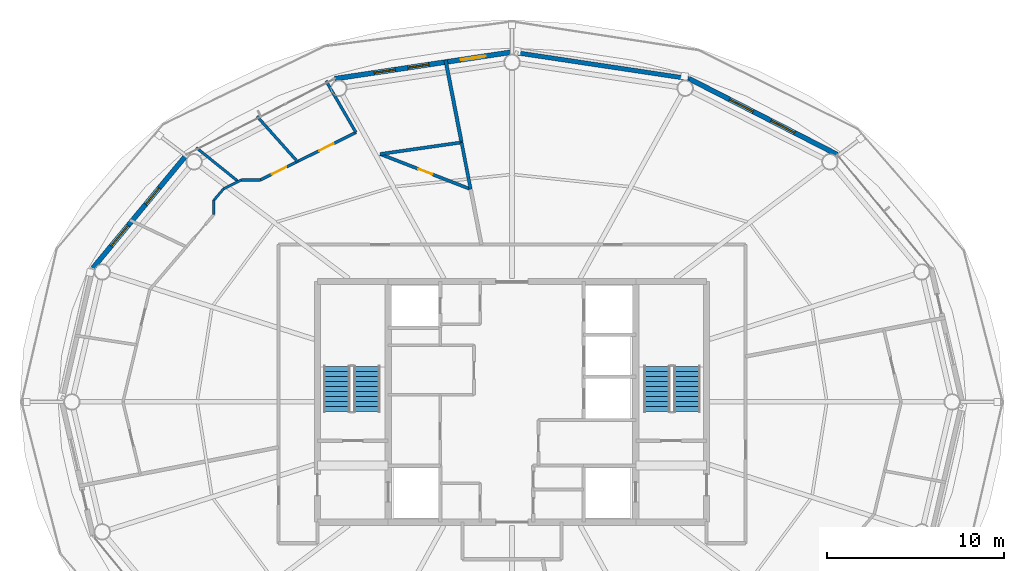
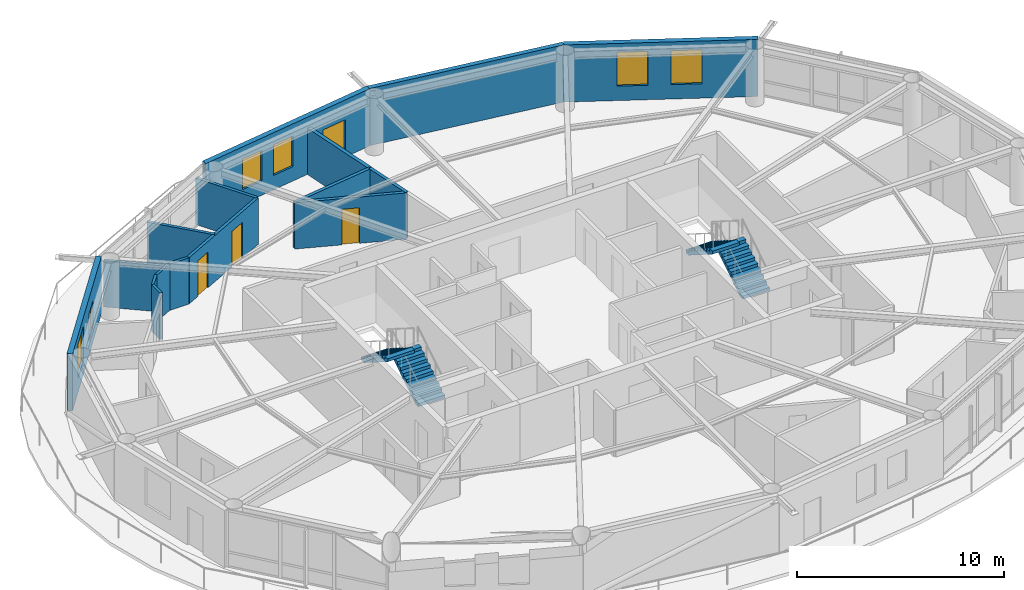
# One storey, part 18 of 21: 16 walls, 6 windows, 4 doors, 4 stair flights, 10 openings, 2 elements without a shape of their own.
"""IFC4 building model written with IfcOpenShell, lengths in metres."""

from ifc_helpers import new_model, si_unit, direction, frame, frame_2d, origin, place, context, subcontext, project, spatial, polyline, rectangle, outline, extrude, material, layer, layer_set, type_object, element, fill, aggregate, save


model = new_model("IFC4")

# Units and contexts
model_context = context("Model", 3, precision=1e-05, world=origin(), true_north=direction((0.0, 1.0)))
body_context = subcontext(model_context, "Body", "Model", "MODEL_VIEW")
ifc_project = project(units=[si_unit("LENGTHUNIT", "METRE"), si_unit("AREAUNIT", "SQUARE_METRE"), si_unit("VOLUMEUNIT", "CUBIC_METRE"), si_unit("PLANEANGLEUNIT", "RADIAN"), si_unit("MASSUNIT", "GRAM", prefix="KILO")], contexts=[model_context])

# Site, building, storey
site_placement = place(None, origin())
site = spatial("IfcSite", under=ifc_project, at=site_placement, CompositionType="ELEMENT")
building_placement = place(site_placement, origin())
building = spatial("IfcBuilding", under=site, at=building_placement, Name="Sarneth Arch Tower", CompositionType="ELEMENT")
storey_placement = place(building_placement, frame((0.0, 0.0, 309.0)))
storey = spatial("IfcBuildingStorey", under=building, at=storey_placement, Name="L80", CompositionType="ELEMENT", Elevation=309.0)

# Wall
ifc_material_1 = material(Name="Extruded terracotta rainscreen on Concrete C40/50 backing", Category="masonry")
ifc_layer_1 = layer(ifc_material_1, 0.25)
ifc_layer_set_1 = layer_set([ifc_layer_1], Name="Extruded terracotta rainscreen on Concrete C40/50 backing")
wall_type_1 = type_object("IfcWallType", Name="WALL-EXT-SPAND-250", PredefinedType="SOLIDWALL", material=ifc_layer_set_1)
wall_1_placement = place(storey_placement, frame((58.0126953125, 60.2744140625, 0.0), z_axis=(0.0, 0.0, 1.0), x_axis=(-0.988882522213, 0.148698881169, 0.0)))
element("IfcWall", 1, at=wall_1_placement, inside=storey, type_object=wall_type_1, Name="L80 Terracotta perimeter wall 04", PredefinedType="SOLIDWALL", context=body_context, shape_type="SweptSolid", body=[
    extrude(rectangle(XDim=10.125244140625, YDim=0.25, at=frame_2d((5.0625, 0.0))), origin(), (0.0, 0.0, 1.0), 3.3701171875),
])

# Wall, openings, windows
ifc_material_2 = material(Name="Extruded terracotta rainscreen on Concrete C40/50 backing", Category="masonry")
ifc_layer_2 = layer(ifc_material_2, 0.280029296875)
ifc_layer_set_2 = layer_set([ifc_layer_2], Name="Extruded terracotta rainscreen on Concrete C40/50 backing")
wall_type_2 = type_object("IfcWallType", Name="WALL-EXT-TERRA-280", PredefinedType="SOLIDWALL", material=ifc_layer_set_2)
wall_2_placement = place(storey_placement, frame((66.382568359375, 55.986572265625, 0.0), z_axis=(0.0, 0.0, 1.0), x_axis=(-0.890007394051, 0.455946091699, 0.0)))
wall_2 = element("IfcWall", 2, at=wall_2_placement, inside=storey, type_object=wall_type_2, Name="L80 Terracotta perimeter wall 03", PredefinedType="SOLIDWALL", context=body_context, shape_type="SweptSolid", body=[
    extrude(rectangle(XDim=9.404296875, YDim=0.280029296875, at=frame_2d((4.7021484375, 0.0))), origin(), (0.0, 0.0, 1.0), 3.3701171875),
])
opening_1_placement = place(wall_2_placement, frame((2.702880859375, 0.0, 0.85009765625)))
opening_1 = element("IfcOpeningElement", 3, at=opening_1_placement, cuts=wall_2, Name="Opening W-06", PredefinedType="OPENING", context=body_context, shape_type="SweptSolid", body=[
    extrude(rectangle(XDim=1.5, YDim=2.0, at=frame_2d((0.75, 1.0))), frame((0.0, 0.14990234375, 0.0), z_axis=(0.0, -1.0, 0.0), x_axis=(1.0, 0.0, 0.0)), (0.0, 0.0, 1.0), 0.300048828125),
])
opening_2_placement = place(wall_2_placement, frame((5.330078125, 0.0, 0.85009765625)))
opening_2 = element("IfcOpeningElement", 4, at=opening_2_placement, cuts=wall_2, Name="Opening W-06", PredefinedType="OPENING", context=body_context, shape_type="SweptSolid", body=[
    extrude(rectangle(XDim=1.5, YDim=2.0, at=frame_2d((0.75, 1.0))), frame((0.0, 0.14990234375, 0.0), z_axis=(0.0, -1.0, 0.0), x_axis=(1.0, 0.0, 0.0)), (0.0, 0.0, 1.0), 0.300048828125),
])
ifc_material_3 = material(Name="Thermally broken Aluminium 6063-T6 and low-e laminated IGU", Category="aluminium")
window_type_1 = type_object("IfcWindowType", Name="WIN-TWR-1500x2000", PartitioningType="SINGLE_PANEL", PredefinedType="WINDOW", material=ifc_material_3)
window_1_placement = place(opening_1_placement, origin())
window_1 = element("IfcWindow", 5, at=window_1_placement, inside=storey, type_object=window_type_1, Name="L80 Exterior window 03A", OverallHeight=2.0, OverallWidth=1.5, PartitioningType="SINGLE_PANEL", PredefinedType="WINDOW", context=body_context, shape_type="SweptSolid", body=[
    extrude(rectangle(XDim=1.5, YDim=2.0, at=frame_2d((0.75, 1.0))), frame((0.0, 0.030029296875, 0.0), z_axis=(0.0, -1.0, 0.0), x_axis=(1.0, 0.0, 0.0)), (0.0, 0.0, 1.0), 0.06005859375),
])
fill(opening_1, window_1)
window_2_placement = place(opening_2_placement, origin())
window_2 = element("IfcWindow", 6, at=window_2_placement, inside=storey, type_object=window_type_1, Name="L80 Exterior window 03B", OverallHeight=2.0, OverallWidth=1.5, PartitioningType="SINGLE_PANEL", PredefinedType="WINDOW", context=body_context, shape_type="SweptSolid", body=[
    extrude(rectangle(XDim=1.5, YDim=2.0, at=frame_2d((0.75, 1.0))), frame((0.0, 0.030029296875, 0.0), z_axis=(0.0, -1.0, 0.0), x_axis=(1.0, 0.0, 0.0)), (0.0, 0.0, 1.0), 0.06005859375),
])
fill(opening_2, window_2)

# Wall, openings, door, windows
wall_3_placement = place(storey_placement, frame((48.0, 61.780029296875, 0.0), z_axis=(0.0, 0.0, 1.0), x_axis=(-0.988882522213, -0.148698881169, 0.0)))
wall_3 = element("IfcWall", 7, at=wall_3_placement, inside=storey, type_object=wall_type_2, Name="L80 Terracotta perimeter wall 05", PredefinedType="SOLIDWALL", context=body_context, shape_type="SweptSolid", body=[
    extrude(rectangle(XDim=10.125244140625, YDim=0.280029296875, at=frame_2d((5.0625, 0.0))), origin(), (0.0, 0.0, 1.0), 3.3701171875),
])
opening_3_placement = place(wall_3_placement, frame((1.51611328125, 0.0, 0.0)))
opening_3 = element("IfcOpeningElement", 8, at=opening_3_placement, cuts=wall_3, Name="Opening BD-2", PredefinedType="OPENING", context=body_context, shape_type="SweptSolid", body=[
    extrude(rectangle(XDim=1.39990234375, YDim=2.199951171875, at=frame_2d((0.699951171875, 1.10009765625))), frame((0.0, 0.14990234375, 0.0), z_axis=(0.0, -1.0, 0.0), x_axis=(1.0, 0.0, 0.0)), (0.0, 0.0, 1.0), 0.300048828125),
])
opening_4_placement = place(wall_3_placement, frame((4.750244140625, 0.0, 0.85009765625)))
opening_4 = element("IfcOpeningElement", 9, at=opening_4_placement, cuts=wall_3, Name="Opening W-09", PredefinedType="OPENING", context=body_context, shape_type="SweptSolid", body=[
    extrude(rectangle(XDim=1.199951171875, YDim=1.800048828125, at=frame_2d((0.60009765625, 0.89990234375))), frame((0.0, 0.14990234375, 0.0), z_axis=(0.0, -1.0, 0.0), x_axis=(1.0, 0.0, 0.0)), (0.0, 0.0, 1.0), 0.300048828125),
])
opening_5_placement = place(wall_3_placement, frame((6.66796875, 0.0, 0.85009765625)))
opening_5 = element("IfcOpeningElement", 10, at=opening_5_placement, cuts=wall_3, Name="Opening W-09", PredefinedType="OPENING", context=body_context, shape_type="SweptSolid", body=[
    extrude(rectangle(XDim=1.199951171875, YDim=1.800048828125, at=frame_2d((0.60009765625, 0.89990234375))), frame((0.0, 0.14990234375, 0.0), z_axis=(0.0, -1.0, 0.0), x_axis=(1.0, 0.0, 0.0)), (0.0, 0.0, 1.0), 0.300048828125),
])
ifc_material_4 = material(Name="Thermally broken Aluminium 6063-T6 and laminated safety glass", Category="aluminium")
door_type_1 = type_object("IfcDoorType", Name="DR-BALC-GLZ-1400", OperationType="SINGLE_SWING_LEFT", PredefinedType="DOOR", material=ifc_material_4)
door_1_placement = place(opening_3_placement, origin())
door_1 = element("IfcDoor", 11, at=door_1_placement, inside=storey, type_object=door_type_1, Name="L80 Balcony glazed door 05", OperationType="SINGLE_SWING_LEFT", OverallHeight=2.199951171875, OverallWidth=1.39990234375, PredefinedType="DOOR", context=body_context, shape_type="SweptSolid", body=[
    extrude(rectangle(XDim=1.39990234375, YDim=2.199951171875, at=frame_2d((0.699951171875, 1.10009765625))), frame((0.0, 0.02490234375, 0.0), z_axis=(0.0, -1.0, 0.0), x_axis=(1.0, 0.0, 0.0)), (0.0, 0.0, 1.0), 0.050048828125),
])
fill(opening_3, door_1)
ifc_material_5 = material(Name="Thermally broken Aluminium 6063-T6 and low-e laminated IGU", Category="aluminium")
window_type_2 = type_object("IfcWindowType", Name="WIN-TWR-1200x1800", PartitioningType="SINGLE_PANEL", PredefinedType="WINDOW", material=ifc_material_5)
window_3_placement = place(opening_4_placement, origin())
window_3 = element("IfcWindow", 12, at=window_3_placement, inside=storey, type_object=window_type_2, Name="L80 Exterior window 05A", OverallHeight=1.800048828125, OverallWidth=1.199951171875, PartitioningType="SINGLE_PANEL", PredefinedType="WINDOW", context=body_context, shape_type="SweptSolid", body=[
    extrude(rectangle(XDim=1.199951171875, YDim=1.800048828125, at=frame_2d((0.60009765625, 0.89990234375))), frame((0.0, 0.030029296875, 0.0), z_axis=(0.0, -1.0, 0.0), x_axis=(1.0, 0.0, 0.0)), (0.0, 0.0, 1.0), 0.06005859375),
])
fill(opening_4, window_3)
window_4_placement = place(opening_5_placement, origin())
window_4 = element("IfcWindow", 13, at=window_4_placement, inside=storey, type_object=window_type_2, Name="L80 Exterior window 05B", OverallHeight=1.800048828125, OverallWidth=1.199951171875, PartitioningType="SINGLE_PANEL", PredefinedType="WINDOW", context=body_context, shape_type="SweptSolid", body=[
    extrude(rectangle(XDim=1.199951171875, YDim=1.800048828125, at=frame_2d((0.60009765625, 0.89990234375))), frame((0.0, 0.030029296875, 0.0), z_axis=(0.0, -1.0, 0.0), x_axis=(1.0, 0.0, 0.0)), (0.0, 0.0, 1.0), 0.06005859375),
])
fill(opening_5, window_4)

# Wall, openings, windows
wall_4_placement = place(storey_placement, frame((29.617431640625, 55.986572265625, 0.0), z_axis=(0.0, 0.0, 1.0), x_axis=(-0.63761509934, -0.770355103243, 0.0)))
wall_4 = element("IfcWall", 14, at=wall_4_placement, inside=storey, type_object=wall_type_2, Name="L80 Terracotta perimeter wall 07", PredefinedType="SOLIDWALL", context=body_context, shape_type="SweptSolid", body=[
    extrude(rectangle(XDim=8.329833984375, YDim=0.280029296875, at=frame_2d((4.1650390625, 0.0))), origin(), (0.0, 0.0, 1.0), 3.3701171875),
])
opening_6_placement = place(wall_4_placement, frame((2.45556640625, 0.0, 0.85009765625)))
opening_6 = element("IfcOpeningElement", 15, at=opening_6_placement, cuts=wall_4, Name="Opening W-10", PredefinedType="OPENING", context=body_context, shape_type="SweptSolid", body=[
    extrude(rectangle(XDim=1.199951171875, YDim=1.60009765625, at=frame_2d((0.60009765625, 0.800048828125))), frame((0.0, 0.14990234375, 0.0), z_axis=(0.0, -1.0, 0.0), x_axis=(1.0, 0.0, 0.0)), (0.0, 0.0, 1.0), 0.300048828125),
])
opening_7_placement = place(wall_4_placement, frame((5.210693359375, 0.0, 0.85009765625)))
opening_7 = element("IfcOpeningElement", 16, at=opening_7_placement, cuts=wall_4, Name="Opening W-06", PredefinedType="OPENING", context=body_context, shape_type="SweptSolid", body=[
    extrude(rectangle(XDim=1.5, YDim=2.0, at=frame_2d((0.75, 1.0))), frame((0.0, 0.14990234375, 0.0), z_axis=(0.0, -1.0, 0.0), x_axis=(1.0, 0.0, 0.0)), (0.0, 0.0, 1.0), 0.300048828125),
])
ifc_material_6 = material(Name="Thermally broken Aluminium 6063-T6 and low-e laminated IGU", Category="aluminium")
window_type_3 = type_object("IfcWindowType", Name="WIN-TWR-1200x1600", PartitioningType="SINGLE_PANEL", PredefinedType="WINDOW", material=ifc_material_6)
window_5_placement = place(opening_6_placement, origin())
window_5 = element("IfcWindow", 17, at=window_5_placement, inside=storey, type_object=window_type_3, Name="L80 Exterior window 07A", OverallHeight=1.60009765625, OverallWidth=1.199951171875, PartitioningType="SINGLE_PANEL", PredefinedType="WINDOW", context=body_context, shape_type="SweptSolid", body=[
    extrude(rectangle(XDim=1.199951171875, YDim=1.60009765625, at=frame_2d((0.60009765625, 0.800048828125))), frame((0.0, 0.030029296875, 0.0), z_axis=(0.0, -1.0, 0.0), x_axis=(1.0, 0.0, 0.0)), (0.0, 0.0, 1.0), 0.06005859375),
])
fill(opening_6, window_5)
window_6_placement = place(opening_7_placement, origin())
window_6 = element("IfcWindow", 18, at=window_6_placement, inside=storey, type_object=window_type_1, Name="L80 Exterior window 07B", OverallHeight=2.0, OverallWidth=1.5, PartitioningType="SINGLE_PANEL", PredefinedType="WINDOW", context=body_context, shape_type="SweptSolid", body=[
    extrude(rectangle(XDim=1.5, YDim=2.0, at=frame_2d((0.75, 1.0))), frame((0.0, 0.030029296875, 0.0), z_axis=(0.0, -1.0, 0.0), x_axis=(1.0, 0.0, 0.0)), (0.0, 0.0, 1.0), 0.06005859375),
])
fill(opening_7, window_6)

# Walls
ifc_material_7 = material(Name="Apartment internal stud partition", Category="gypsum")
ifc_layer_3 = layer(ifc_material_7, 0.139892578125)
ifc_layer_set_3 = layer_set([ifc_layer_3], Name="Apartment internal stud partition")
wall_type_3 = type_object("IfcWallType", Name="WALL-PART-140", PredefinedType="PARTITIONING", material=ifc_layer_set_3)
wall_5_placement = place(storey_placement, frame((32.710693359375, 54.550048828125, 0.0), z_axis=(0.0, 0.0, 1.0), x_axis=(-0.895409226325, -0.445244109912, 0.0)))
element("IfcWall", 19, at=wall_5_placement, inside=storey, type_object=wall_type_3, Name="L80 Interior partition W-L80-TP-027", PredefinedType="PARTITIONING", context=body_context, shape_type="SweptSolid", body=[
    extrude(rectangle(XDim=1.14111328125, YDim=0.139892578125, at=frame_2d((0.570556640625, 0.0))), origin(), (0.0, 0.0, 1.0), 2.72998046875),
])
wall_6_placement = place(storey_placement, frame((31.68896484375, 54.0419921875, 0.0), z_axis=(0.0, 0.0, 1.0), x_axis=(-0.649191857323, -0.760624698774, 0.0)))
element("IfcWall", 20, at=wall_6_placement, inside=storey, type_object=wall_type_3, Name="L80 Interior partition W-L80-TP-028", PredefinedType="PARTITIONING", context=body_context, shape_type="SweptSolid", body=[
    extrude(rectangle(XDim=0.830322265625, YDim=0.139892578125, at=frame_2d((0.4150390625, 0.0))), origin(), (0.0, 0.0, 1.0), 2.72998046875),
])
wall_7_placement = place(storey_placement, frame((31.14990234375, 53.410400390625, 0.0), z_axis=(0.0, 0.0, 1.0), x_axis=(0.0, -1.0, 0.0)))
element("IfcWall", 21, at=wall_7_placement, inside=storey, type_object=wall_type_3, Name="L80 Interior partition W-L80-TP-029", PredefinedType="PARTITIONING", context=body_context, shape_type="SweptSolid", body=[
    extrude(rectangle(XDim=0.8115234375, YDim=0.139892578125, at=frame_2d((0.40576171875, 0.0))), origin(), (0.0, 0.0, 1.0), 2.72998046875),
])
ifc_material_8 = material(Name="Acoustic gypsum stud partition", Category="gypsum")
ifc_layer_4 = layer(ifc_material_8, 0.14990234375)
ifc_layer_set_4 = layer_set([ifc_layer_4], Name="Acoustic gypsum stud partition")
wall_type_4 = type_object("IfcWallType", Name="WALL-PART-150", PredefinedType="PARTITIONING", material=ifc_layer_set_4)
wall_8_placement = place(storey_placement, frame((30.142822265625, 56.37890625, 0.0), z_axis=(0.0, 0.0, 1.0), x_axis=(0.778865360092, -0.627191159734, 0.0)))
element("IfcWall", 22, at=wall_8_placement, inside=storey, type_object=wall_type_4, Name="L80 Interior partition W-L80-TP-037", PredefinedType="PARTITIONING", context=body_context, shape_type="SweptSolid", body=[
    extrude(rectangle(XDim=3.0615234375, YDim=0.14990234375, at=frame_2d((1.53076171875, 0.0))), origin(), (0.0, 0.0, 1.0), 2.72998046875),
])
wall_9_placement = place(storey_placement, frame((32.710693359375, 54.550048828125, 0.0), z_axis=(0.0, 0.0, 1.0), x_axis=(1.0, 0.0, 0.0)))
element("IfcWall", 23, at=wall_9_placement, inside=storey, type_object=wall_type_4, Name="L80 Interior partition W-L80-TP-021", PredefinedType="PARTITIONING", context=body_context, shape_type="SweptSolid", body=[
    extrude(rectangle(XDim=1.0625, YDim=0.14990234375, at=frame_2d((0.53125, 0.0))), origin(), (0.0, 0.0, 1.0), 2.72998046875),
])

# Wall, openings, doors
ifc_material_9 = material(Name="Kitchen wet service chase wall", Category="gypsum")
ifc_layer_5 = layer(ifc_material_9, 0.159912109375)
ifc_layer_set_5 = layer_set([ifc_layer_5], Name="Kitchen wet service chase wall")
wall_type_5 = type_object("IfcWallType", Name="WALL-PLUMB-160", PredefinedType="PLUMBINGWALL", material=ifc_layer_set_5)
wall_10_placement = place(storey_placement, frame((33.773193359375, 54.550048828125, 0.0), z_axis=(0.0, 0.0, 1.0), x_axis=(0.895589779493, 0.444880823219, 0.0)))
wall_10 = element("IfcWall", 24, at=wall_10_placement, inside=storey, type_object=wall_type_5, Name="L80 Interior partition W-L80-TP-023", PredefinedType="PLUMBINGWALL", context=body_context, shape_type="SweptSolid", body=[
    extrude(rectangle(XDim=6.0322265625, YDim=0.159912109375, at=frame_2d((3.01611328125, 0.0))), origin(), (0.0, 0.0, 1.0), 2.72998046875),
])
opening_8_placement = place(wall_10_placement, frame((3.718017578125, 0.0, 0.0)))
opening_8 = element("IfcOpeningElement", 25, at=opening_8_placement, cuts=wall_10, Name="Opening ID-01", PredefinedType="OPENING", context=body_context, shape_type="SweptSolid", body=[
    extrude(rectangle(XDim=0.89990234375, YDim=2.10009765625, at=frame_2d((0.449951171875, 1.050048828125))), frame((0.0, 0.08984375, 0.0), z_axis=(0.0, -1.0, 0.0), x_axis=(1.0, 0.0, 0.0)), (0.0, 0.0, 1.0), 0.179931640625),
])
opening_9_placement = place(wall_10_placement, frame((0.735107421875, 0.0, 0.0)))
opening_9 = element("IfcOpeningElement", 26, at=opening_9_placement, cuts=wall_10, Name="Opening ID-01", PredefinedType="OPENING", context=body_context, shape_type="SweptSolid", body=[
    extrude(rectangle(XDim=0.89990234375, YDim=2.10009765625, at=frame_2d((0.449951171875, 1.050048828125))), frame((0.0, 0.08984375, 0.0), z_axis=(0.0, -1.0, 0.0), x_axis=(1.0, 0.0, 0.0)), (0.0, 0.0, 1.0), 0.179931640625),
])
ifc_material_10 = material(Name="Engineered hardwood flush door", Category="wood")
door_type_2 = type_object("IfcDoorType", Name="DR-INT-900", OperationType="SINGLE_SWING_LEFT", PredefinedType="DOOR", material=ifc_material_10)
door_2_placement = place(opening_8_placement, origin())
door_2 = element("IfcDoor", 27, at=door_2_placement, inside=storey, type_object=door_type_2, Name="L80 Interior door DR-L80-U2-KIT", OperationType="SINGLE_SWING_LEFT", OverallHeight=2.10009765625, OverallWidth=0.89990234375, PredefinedType="DOOR", context=body_context, shape_type="SweptSolid", body=[
    extrude(rectangle(XDim=0.89990234375, YDim=2.10009765625, at=frame_2d((0.449951171875, 1.050048828125))), frame((0.0, 0.02490234375, 0.0), z_axis=(0.0, -1.0, 0.0), x_axis=(1.0, 0.0, 0.0)), (0.0, 0.0, 1.0), 0.050048828125),
])
fill(opening_8, door_2)
door_3_placement = place(opening_9_placement, origin())
door_3 = element("IfcDoor", 28, at=door_3_placement, inside=storey, type_object=door_type_2, Name="L80 Interior door DR-L80-U2-STD", OperationType="SINGLE_SWING_RIGHT", OverallHeight=2.10009765625, OverallWidth=0.89990234375, PredefinedType="DOOR", context=body_context, shape_type="SweptSolid", body=[
    extrude(rectangle(XDim=0.89990234375, YDim=2.10009765625, at=frame_2d((0.449951171875, 1.050048828125))), frame((0.0, 0.02490234375, 0.0), z_axis=(0.0, -1.0, 0.0), x_axis=(1.0, 0.0, 0.0)), (0.0, 0.0, 1.0), 0.050048828125),
])
fill(opening_9, door_3)

# Walls
wall_11_placement = place(storey_placement, frame((35.866455078125, 55.58984375, 0.0), z_axis=(0.0, 0.0, 1.0), x_axis=(-0.665966254354, 0.745981868453, 0.0)))
element("IfcWall", 29, at=wall_11_placement, inside=storey, type_object=wall_type_5, Name="L80 Interior partition W-L80-TP-036", PredefinedType="PLUMBINGWALL", context=body_context, shape_type="SweptSolid", body=[
    extrude(rectangle(XDim=3.429443359375, YDim=0.159912109375, at=frame_2d((1.71484375, 0.0))), origin(), (0.0, 0.0, 1.0), 2.72998046875),
])
wall_12_placement = place(storey_placement, frame((39.175537109375, 57.233642578125, 0.0), z_axis=(0.0, 0.0, 1.0), x_axis=(-0.501221763984, 0.865318867996, 0.0)))
element("IfcWall", 30, at=wall_12_placement, inside=storey, type_object=wall_type_5, Name="L80 Interior partition W-L80-TP-024", PredefinedType="PLUMBINGWALL", context=body_context, shape_type="SweptSolid", body=[
    extrude(rectangle(XDim=3.3720703125, YDim=0.159912109375, at=frame_2d((1.68603515625, 0.0))), origin(), (0.0, 0.0, 1.0), 2.72998046875),
])

# Wall, opening, door
ifc_material_11 = material(Name="Moisture-resistant plumbing chase wall", Category="gypsum")
ifc_layer_6 = layer(ifc_material_11, 0.179931640625)
ifc_layer_set_6 = layer_set([ifc_layer_6], Name="Moisture-resistant plumbing chase wall")
wall_type_6 = type_object("IfcWallType", Name="WALL-PLUMB-180", PredefinedType="PLUMBINGWALL", material=ifc_layer_set_6)
wall_13_placement = place(storey_placement, frame((45.66259765625, 54.0244140625, 0.0), z_axis=(0.0, 0.0, 1.0), x_axis=(-0.932122259713, 0.36214374625, 0.0)))
wall_13 = element("IfcWall", 31, at=wall_13_placement, inside=storey, type_object=wall_type_6, Name="L80 Interior partition W-L80-TP-025", PredefinedType="PLUMBINGWALL", context=body_context, shape_type="SweptSolid", body=[
    extrude(rectangle(XDim=5.49169921875, YDim=0.179931640625, at=frame_2d((2.745849609375, 0.0))), origin(), (0.0, 0.0, 1.0), 2.72998046875),
])
opening_10_placement = place(wall_13_placement, frame((2.32080078125, 0.0, 0.0)))
opening_10 = element("IfcOpeningElement", 32, at=opening_10_placement, cuts=wall_13, Name="Opening ID-02", PredefinedType="OPENING", context=body_context, shape_type="SweptSolid", body=[
    extrude(rectangle(XDim=0.85009765625, YDim=2.10009765625, at=frame_2d((0.425048828125, 1.050048828125))), frame((0.0, 0.099853515625, 0.0), z_axis=(0.0, -1.0, 0.0), x_axis=(1.0, 0.0, 0.0)), (0.0, 0.0, 1.0), 0.199951171875),
])
ifc_material_12 = material(Name="Moisture-resistant bathroom timber door", Category="wood")
door_type_3 = type_object("IfcDoorType", Name="DR-INT-850", OperationType="SINGLE_SWING_RIGHT", PredefinedType="DOOR", material=ifc_material_12)
door_4_placement = place(opening_10_placement, origin())
door_4 = element("IfcDoor", 33, at=door_4_placement, inside=storey, type_object=door_type_3, Name="L80 Interior door DR-L80-U2-BATH", OperationType="SINGLE_SWING_LEFT", OverallHeight=2.10009765625, OverallWidth=0.85009765625, PredefinedType="DOOR", context=body_context, shape_type="SweptSolid", body=[
    extrude(rectangle(XDim=0.85009765625, YDim=2.10009765625, at=frame_2d((0.425048828125, 1.050048828125))), frame((0.0, 0.02490234375, 0.0), z_axis=(0.0, -1.0, 0.0), x_axis=(1.0, 0.0, 0.0)), (0.0, 0.0, 1.0), 0.050048828125),
])
fill(opening_10, door_4)

# Walls
wall_14_placement = place(storey_placement, frame((40.543701171875, 56.01318359375, 0.0), z_axis=(0.0, 0.0, 1.0), x_axis=(0.989914822191, 0.141663844385, 0.0)))
element("IfcWall", 34, at=wall_14_placement, inside=storey, type_object=wall_type_6, Name="L80 Interior partition W-L80-TP-026", PredefinedType="PLUMBINGWALL", context=body_context, shape_type="SweptSolid", body=[
    extrude(rectangle(XDim=4.6513671875, YDim=0.179931640625, at=frame_2d((2.32568359375, 0.0))), origin(), (0.0, 0.0, 1.0), 2.72998046875),
])
wall_15_placement = place(storey_placement, frame((45.148193359375, 56.672119140625, 0.0), z_axis=(0.0, 0.0, 1.0), x_axis=(0.19071702476, -0.981645056253, 0.0)))
element("IfcWall", 35, at=wall_15_placement, inside=storey, type_object=wall_type_6, Name="L80 Interior partition W-L80-TP-017", PredefinedType="PLUMBINGWALL", context=body_context, shape_type="SweptSolid", body=[
    extrude(rectangle(XDim=2.697265625, YDim=0.179931640625, at=frame_2d((1.3486328125, 0.0))), origin(), (0.0, 0.0, 1.0), 2.72998046875),
])
ifc_material_13 = material(Name="Double steel-stud acoustic drywall", Category="steel")
ifc_layer_7 = layer(ifc_material_13, 0.199951171875)
ifc_layer_set_7 = layer_set([ifc_layer_7], Name="Double steel-stud acoustic drywall")
wall_type_7 = type_object("IfcWallType", Name="WALL-UNIT-200", PredefinedType="PARTITIONING", material=ifc_layer_set_7)
wall_16_placement = place(storey_placement, frame((44.241455078125, 61.3359375, 0.0), z_axis=(0.0, 0.0, 1.0), x_axis=(0.190846277625, -0.981619935778, 0.0)))
element("IfcWall", 36, at=wall_16_placement, inside=storey, type_object=wall_type_7, Name="L80 Interior partition W-L80-TP-015", PredefinedType="PARTITIONING", context=body_context, shape_type="SweptSolid", body=[
    extrude(rectangle(XDim=4.751220703125, YDim=0.199951171875, at=frame_2d((2.37548828125, 0.0))), origin(), (0.0, 0.0, 1.0), 2.72998046875),
])

# Stair, stair flights
ifc_material_14 = material(Name="Concrete C50/60", Category="concrete")
stair_type = type_object("IfcStairType", Name="STAIR-CORE-RC", PredefinedType="HALF_TURN_STAIR", material=ifc_material_14)
stair_1_placement = place(storey_placement, origin())
stair_1 = element("IfcStair", 37, at=stair_1_placement, inside=storey, type_object=stair_type, Name="L80 Core Exit Stair 1", PredefinedType="HALF_TURN_STAIR")
ifc_material_15 = material(Name="Concrete C50/60", Category="concrete")
stair_flight_type = type_object("IfcStairFlightType", Name="FLIGHT-RC-1500", PredefinedType="STRAIGHT", material=ifc_material_15)
stair_flight_1_placement = place(storey_placement, frame((39.800048828125, 41.449951171875, 0.0), z_axis=(0.0, 0.0, 1.0), x_axis=(0.0, 1.0, 0.0)))
stair_flight_1 = element("IfcStairFlight", 38, at=stair_flight_1_placement, type_object=stair_flight_type, Name="ST-1 flight 1", NumberOfRisers=10, NumberOfTreads=9, PredefinedType="STRAIGHT", RiserHeight=0.18, TreadLength=0.285, context=body_context, shape_type="SweptSolid", body=[
    extrude(outline(polyline([(0.0, 0.0), (0.0, 0.179931640625), (0.284912109375, 0.179931640625), (0.284912109375, 0.360107421875), (0.570068359375, 0.360107421875), (0.570068359375, 0.5400390625), (0.85498046875, 0.5400390625), (0.85498046875, 0.719970703125), (1.139892578125, 0.719970703125), (1.139892578125, 0.89990234375), (1.425048828125, 0.89990234375), (1.425048828125, 1.080078125), (1.7099609375, 1.080078125), (1.7099609375, 1.260009765625), (1.9951171875, 1.260009765625), (1.9951171875, 1.43994140625), (2.280029296875, 1.43994140625), (2.280029296875, 1.6201171875), (2.56494140625, 1.6201171875), (2.56494140625, 1.800048828125), (2.56494140625, 1.442626953125), (0.28076171875, 0.0), (0.0, 0.0)])), frame((0.0, 0.75, 0.0), z_axis=(0.0, -1.0, 0.0), x_axis=(1.0, 0.0, 0.0)), (0.0, 0.0, 1.0), 1.5),
])
stair_flight_2_placement = place(storey_placement, frame((38.10009765625, 44.014892578125, 1.800048828125), z_axis=(0.0, 0.0, 1.0), x_axis=(0.0, -1.0, 0.0)))
stair_flight_2 = element("IfcStairFlight", 39, at=stair_flight_2_placement, type_object=stair_flight_type, Name="ST-1 flight 2", NumberOfRisers=10, NumberOfTreads=9, PredefinedType="STRAIGHT", RiserHeight=0.18, TreadLength=0.285, context=body_context, shape_type="SweptSolid", body=[
    extrude(outline(polyline([(0.0, 0.0), (0.0, 0.179931640625), (0.284912109375, 0.179931640625), (0.284912109375, 0.360107421875), (0.570068359375, 0.360107421875), (0.570068359375, 0.5400390625), (0.85498046875, 0.5400390625), (0.85498046875, 0.719970703125), (1.139892578125, 0.719970703125), (1.139892578125, 0.89990234375), (1.425048828125, 0.89990234375), (1.425048828125, 1.080078125), (1.7099609375, 1.080078125), (1.7099609375, 1.260009765625), (1.9951171875, 1.260009765625), (1.9951171875, 1.43994140625), (2.280029296875, 1.43994140625), (2.280029296875, 1.6201171875), (2.56494140625, 1.6201171875), (2.56494140625, 1.800048828125), (2.56494140625, 1.442626953125), (0.28076171875, 0.0), (0.0, 0.0)])), frame((0.0, 0.75, 0.0), z_axis=(0.0, -1.0, 0.0), x_axis=(1.0, 0.0, 0.0)), (0.0, 0.0, 1.0), 1.5),
])
aggregate(stair_1, [stair_flight_1, stair_flight_2])

stair_2_placement = place(storey_placement, origin())
stair_2 = element("IfcStair", 40, at=stair_2_placement, inside=storey, type_object=stair_type, Name="L80 Core Exit Stair 2", PredefinedType="HALF_TURN_STAIR")
stair_flight_3_placement = place(storey_placement, frame((57.89990234375, 41.449951171875, 0.0), z_axis=(0.0, 0.0, 1.0), x_axis=(0.0, 1.0, 0.0)))
stair_flight_3 = element("IfcStairFlight", 41, at=stair_flight_3_placement, type_object=stair_flight_type, Name="ST-2 flight 1", NumberOfRisers=10, NumberOfTreads=9, PredefinedType="STRAIGHT", RiserHeight=0.18, TreadLength=0.285, context=body_context, shape_type="SweptSolid", body=[
    extrude(outline(polyline([(0.0, 0.0), (0.0, 0.179931640625), (0.284912109375, 0.179931640625), (0.284912109375, 0.360107421875), (0.570068359375, 0.360107421875), (0.570068359375, 0.5400390625), (0.85498046875, 0.5400390625), (0.85498046875, 0.719970703125), (1.139892578125, 0.719970703125), (1.139892578125, 0.89990234375), (1.425048828125, 0.89990234375), (1.425048828125, 1.080078125), (1.7099609375, 1.080078125), (1.7099609375, 1.260009765625), (1.9951171875, 1.260009765625), (1.9951171875, 1.43994140625), (2.280029296875, 1.43994140625), (2.280029296875, 1.6201171875), (2.56494140625, 1.6201171875), (2.56494140625, 1.800048828125), (2.56494140625, 1.442626953125), (0.28076171875, 0.0), (0.0, 0.0)])), frame((0.0, 0.75, 0.0), z_axis=(0.0, -1.0, 0.0), x_axis=(1.0, 0.0, 0.0)), (0.0, 0.0, 1.0), 1.5),
])
stair_flight_4_placement = place(storey_placement, frame((56.199951171875, 44.014892578125, 1.800048828125), z_axis=(0.0, 0.0, 1.0), x_axis=(0.0, -1.0, 0.0)))
stair_flight_4 = element("IfcStairFlight", 42, at=stair_flight_4_placement, type_object=stair_flight_type, Name="ST-2 flight 2", NumberOfRisers=10, NumberOfTreads=9, PredefinedType="STRAIGHT", RiserHeight=0.18, TreadLength=0.285, context=body_context, shape_type="SweptSolid", body=[
    extrude(outline(polyline([(0.0, 0.0), (0.0, 0.179931640625), (0.284912109375, 0.179931640625), (0.284912109375, 0.360107421875), (0.570068359375, 0.360107421875), (0.570068359375, 0.5400390625), (0.85498046875, 0.5400390625), (0.85498046875, 0.719970703125), (1.139892578125, 0.719970703125), (1.139892578125, 0.89990234375), (1.425048828125, 0.89990234375), (1.425048828125, 1.080078125), (1.7099609375, 1.080078125), (1.7099609375, 1.260009765625), (1.9951171875, 1.260009765625), (1.9951171875, 1.43994140625), (2.280029296875, 1.43994140625), (2.280029296875, 1.6201171875), (2.56494140625, 1.6201171875), (2.56494140625, 1.800048828125), (2.56494140625, 1.442626953125), (0.28076171875, 0.0), (0.0, 0.0)])), frame((0.0, 0.75, 0.0), z_axis=(0.0, -1.0, 0.0), x_axis=(1.0, 0.0, 0.0)), (0.0, 0.0, 1.0), 1.5),
])
aggregate(stair_2, [stair_flight_3, stair_flight_4])

save(model, "model.ifc")
